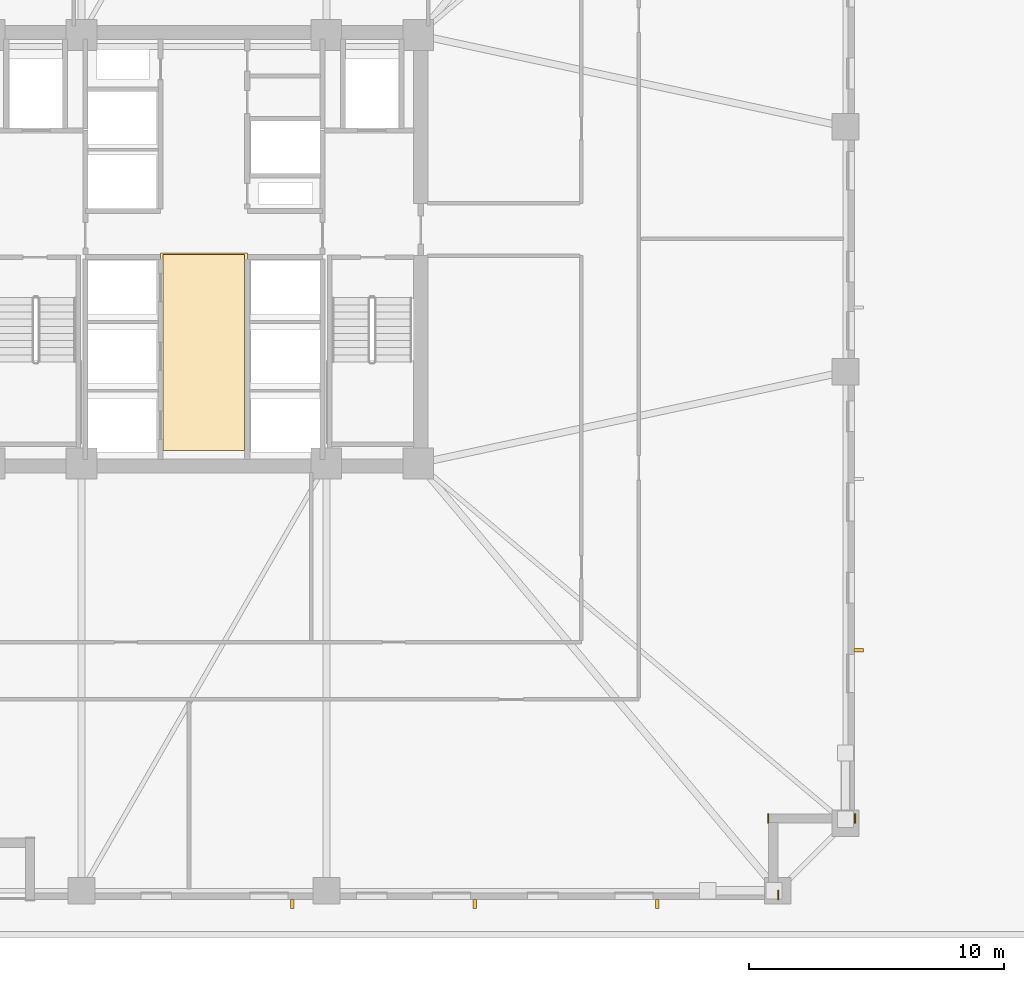
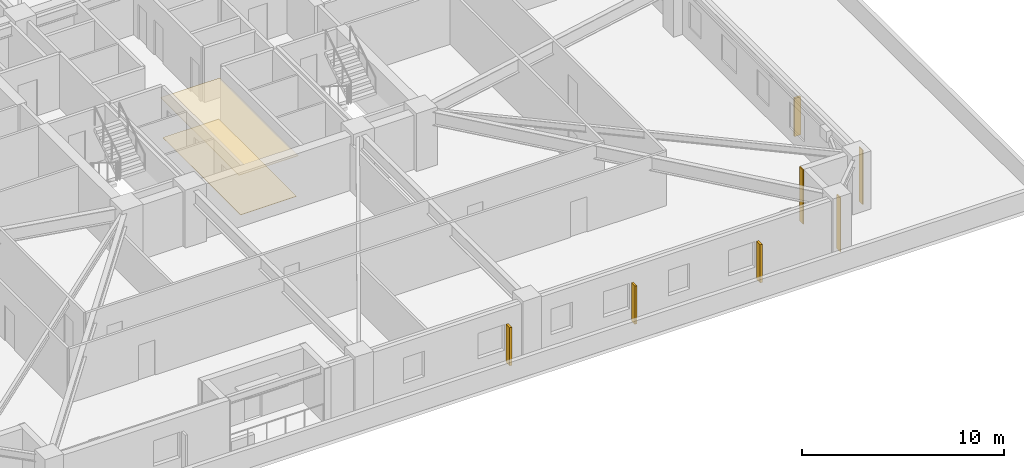
# One storey, part 9 of 12: 5 coverings, 4 shading devices.
"""IFC4 building model written with IfcOpenShell, lengths in metres."""

from ifc_helpers import new_model, si_unit, direction, frame, frame_2d, origin, origin_2d, place, context, subcontext, project, spatial, polyline, rectangle, outline, extrude, material, layer, layer_set, type_object, element, save


model = new_model("IFC4")

# Units and contexts
model_context = context("Model", 3, precision=1e-05, world=origin(), true_north=direction((0.0, 1.0)))
body_context = subcontext(model_context, "Body", "Model", "MODEL_VIEW")
ifc_project = project(units=[si_unit("LENGTHUNIT", "METRE"), si_unit("AREAUNIT", "SQUARE_METRE"), si_unit("VOLUMEUNIT", "CUBIC_METRE"), si_unit("PLANEANGLEUNIT", "RADIAN"), si_unit("MASSUNIT", "GRAM", prefix="KILO")], contexts=[model_context])

# Site, building, storey
site_placement = place(None, origin())
site = spatial("IfcSite", under=ifc_project, at=site_placement, CompositionType="ELEMENT")
building_placement = place(site_placement, origin())
building = spatial("IfcBuilding", under=site, at=building_placement, Name="Cairnveth Concourse Tower", CompositionType="ELEMENT")
storey_placement = place(building_placement, frame((0.0, 0.0, 23.5)))
storey = spatial("IfcBuildingStorey", under=building, at=storey_placement, Name="L05", CompositionType="ELEMENT", Elevation=23.5)

# Coverings
ifc_material_1 = material(Name="Acoustic Mineral Fibre Ceiling", Category="gypsum")
ifc_layer_1 = layer(ifc_material_1, 0.02490234375)
ifc_layer_set_1 = layer_set([ifc_layer_1], Name="Acoustic Mineral Fibre Ceiling")
covering_type_1 = type_object("IfcCoveringType", Name="ACOUSTIC MINERAL FIBRE CEILING 25", PredefinedType="CEILING", material=ifc_layer_set_1)
covering_1_placement = place(storey_placement, frame((0.0, 0.0, 2.424072265625)))
element("IfcCovering", 1, at=covering_1_placement, inside=storey, type_object=covering_type_1, Name="Lift Lobby Acoustic Ceiling L05", PredefinedType="CEILING", context=body_context, shape_type="SweptSolid", body=[
    extrude(outline(polyline([(50.300048828125, 31.10009765625), (53.699951171875, 31.10009765625), (53.699951171875, 38.85009765625), (50.300048828125, 38.85009765625), (50.300048828125, 31.10009765625)])), origin(), (0.0, 0.0, 1.0), 0.02490234375),
])
ifc_material_2 = material(Name="Dressed Melbourne Bluestone Cladding", Category="masonry")
ifc_layer_2 = layer(ifc_material_2, 0.050048828125)
ifc_layer_set_2 = layer_set([ifc_layer_2], Name="Dressed Melbourne Bluestone Cladding")
covering_type_2 = type_object("IfcCoveringType", Name="DRESSED BLUESTONE PLINTH CLADDING 50", PredefinedType="CLADDING", material=ifc_layer_set_2)
for number, where, z_axis, x_axis, name in (
    (2, (77.52001953125, 16.860107421875, 0.0), (0.0, 0.0, 1.0), (0.0, -1.0, 0.0), "Melbourne Bluestone Corner Quoin L05-33"),
    (3, (74.1201171875, 16.860107421875, 0.0), (0.0, 0.0, 1.0), (0.0, -1.0, 0.0), "Melbourne Bluestone Corner Quoin L05-34"),
    (4, (74.52001953125, 13.860107421875, 0.0), (0.0, 0.0, 1.0), (0.0, -1.0, 0.0), "Melbourne Bluestone Corner Quoin L05-35"),
):
    element("IfcCovering", number, at=place(storey_placement, frame(where, z_axis=z_axis, x_axis=x_axis)), inside=storey, type_object=covering_type_2, Name=name, PredefinedType="CLADDING", context=body_context, shape_type="SweptSolid", body=[
        extrude(rectangle(XDim=0.360107421875, YDim=0.050048828125, at=frame_2d((0.18017578125, 0.0))), origin(), (0.0, 0.0, 1.0), 3.280029296875),
    ])

# Shading devices
ifc_material_3 = material(Name="Architectural Bronze Anodised Aluminium 6063-T6", Category="aluminium")
shading_device_type = type_object("IfcShadingDeviceType", Name="GOTHIC BRONZE VERTICAL LANCET FIN", PredefinedType="USERDEFINED", material=ifc_material_3)
for number, where, z_axis, x_axis, name in (
    (5, (77.675048828125, 23.278076171875, 0.02978515625), (0.0, 0.0, 1.0), (0.0, 1.0, 0.0), "Gothic Bronze Vertical Fin L05-9-11"),
    (6, (69.771484375, 13.324951171875, 0.02978515625), (0.0, 0.0, 1.0), (1.0, 0.0, 0.0), "Gothic Bronze Vertical Fin L05-12-1"),
    (7, (62.617431640625, 13.324951171875, 0.02978515625), (0.0, 0.0, 1.0), (1.0, 0.0, 0.0), "Gothic Bronze Vertical Fin L05-12-3"),
    (8, (55.46337890625, 13.324951171875, 0.02978515625), (0.0, 0.0, 1.0), (1.0, 0.0, 0.0), "Gothic Bronze Vertical Fin L05-12-5"),
):
    element("IfcShadingDevice", number, at=place(storey_placement, frame(where, z_axis=z_axis, x_axis=x_axis)), inside=storey, type_object=shading_device_type, Name=name, ObjectType="VERTICAL FIN", PredefinedType="USERDEFINED", context=body_context, shape_type="SweptSolid", body=[
        extrude(rectangle(XDim=0.1201171875, YDim=0.360107421875, at=origin_2d()), origin(), (0.0, 0.0, 1.0), 2.303955078125),
    ])

# Covering
ifc_material_4 = material(Name="Vitrified Stoneware Tile Flooring", Category="masonry")
ifc_layer_3 = layer(ifc_material_4, 0.02001953125)
ifc_layer_set_3 = layer_set([ifc_layer_3], Name="Vitrified Stoneware Tile Flooring")
covering_type_3 = type_object("IfcCoveringType", Name="VITRIFIED STONEWARE LOBBY FLOORING 20", PredefinedType="FLOORING", material=ifc_layer_set_3)
covering_2_placement = place(storey_placement, origin())
element("IfcCovering", 9, at=covering_2_placement, inside=storey, type_object=covering_type_3, Name="Lift Lobby Stoneware Flooring L05", PredefinedType="FLOORING", context=body_context, shape_type="SweptSolid", body=[
    extrude(outline(polyline([(50.39990234375, 31.10009765625), (53.60009765625, 31.10009765625), (53.60009765625, 38.800048828125), (50.39990234375, 38.800048828125), (50.39990234375, 31.10009765625)])), origin(), (0.0, 0.0, 1.0), 0.02001953125),
])

save(model, "model.ifc")
